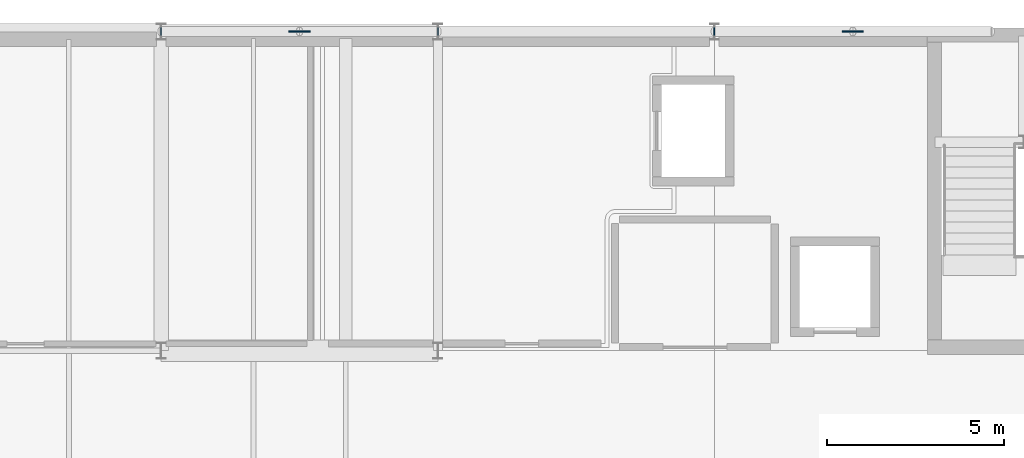
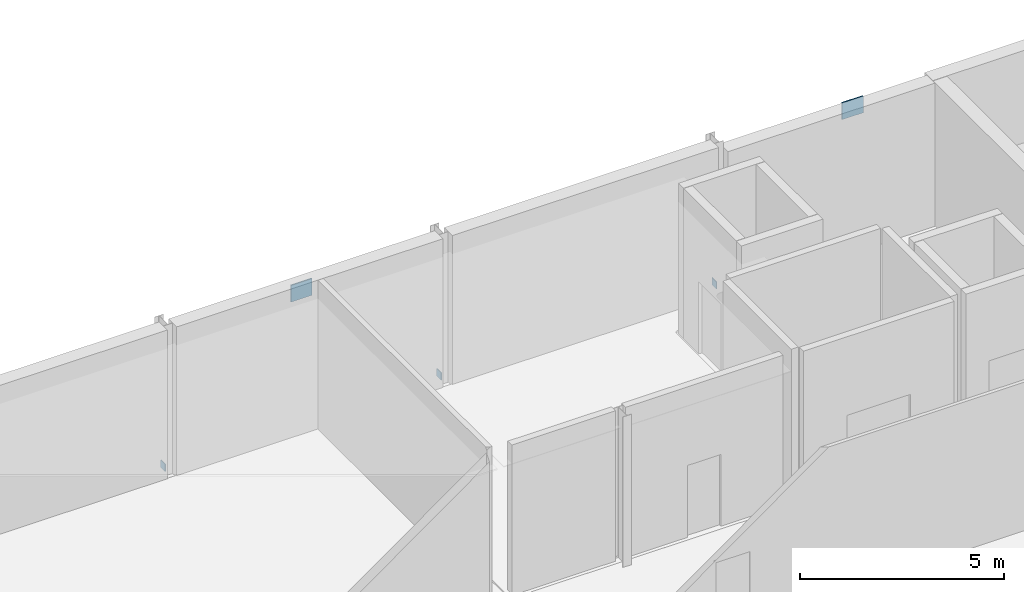
# One storey, part 29 of 38: 5 plates.
"""IFC4 building model written with IfcOpenShell, lengths in metres."""

from ifc_helpers import new_model, si_unit, derived_unit, direction, frame, origin, origin_2d, place, context, subcontext, project, spatial, rectangle, extrude, material, layer, layer_set, type_object, element, save


model = new_model("IFC4")

# Units and contexts
model_context = context("Model", 3, precision=1e-05, world=origin(), true_north=direction((0.0, 1.0)))
body_context = subcontext(model_context, "Body", "Model", "MODEL_VIEW")
ifc_project = project(units=[si_unit("LENGTHUNIT", "METRE"), si_unit("AREAUNIT", "SQUARE_METRE"), si_unit("VOLUMEUNIT", "CUBIC_METRE"), si_unit("PLANEANGLEUNIT", "RADIAN"), si_unit("MASSUNIT", "GRAM", prefix="KILO"), derived_unit("THERMALTRANSMITTANCEUNIT", [(si_unit("POWERUNIT", "WATT"), 1), (si_unit("LENGTHUNIT", "METRE"), -2), (si_unit("THERMODYNAMICTEMPERATUREUNIT", "KELVIN"), -1)])], contexts=[model_context])

# Site, building, storey
site_placement = place(None, origin())
site = spatial("IfcSite", under=ifc_project, at=site_placement, CompositionType="ELEMENT")
building_placement = place(site_placement, origin())
building = spatial("IfcBuilding", under=site, at=building_placement, Name="Nallur Shell Playhouse", CompositionType="ELEMENT")
storey_placement = place(building_placement, frame((0.0, 0.0, 24.300048828125)))
storey = spatial("IfcBuildingStorey", under=building, at=storey_placement, Name="L06", CompositionType="ELEMENT", Elevation=24.300048828125)

# Plates
ifc_material = material(Name="Steel E350", Category="steel")
ifc_layer_1 = layer(ifc_material, 0.02001953125)
ifc_layer_set_1 = layer_set([ifc_layer_1], Name="Steel E350")
plate_type_1 = type_object("IfcPlateType", Name="PT-ENDCAP-20", PredefinedType="SHEET", material=ifc_layer_set_1)
for number, where, z_axis, x_axis, name in (
    (1, (71.79296875, 83.0, 0.03271484375), (0.0, 0.0, 1.0), (1.0, 0.0, 0.0), "Hollow end cap EC-BR-FT-L06-045-0"),
    (2, (79.607177734375, 83.0, 0.03271484375), (0.0, 0.0, 1.0), (1.0, 0.0, 0.0), "Hollow end cap EC-BR-FT-L06-046-0"),
    (3, (87.392822265625, 83.0, 0.03271484375), (0.0, 0.0, 1.0), (1.0, 0.0, 0.0), "Hollow end cap EC-BR-FT-L06-047-0"),
):
    element("IfcPlate", number, at=place(storey_placement, frame(where, z_axis=z_axis, x_axis=x_axis)), inside=storey, type_object=plate_type_1, Name=name, PredefinedType="SHEET", context=body_context, shape_type="SweptSolid", body=[
        extrude(rectangle(XDim=0.02001953125, YDim=0.219970703125, at=origin_2d()), origin(), (0.0, 0.0, 1.0), 0.219970703125),
    ])
ifc_layer_2 = layer(ifc_material, 0.034912109375)
ifc_layer_set_2 = layer_set([ifc_layer_2], Name="Steel E350")
plate_type_2 = type_object("IfcPlateType", Name="PT-GUSSET-35", PredefinedType="USERDEFINED", material=ifc_layer_set_2)
for number, where, z_axis, x_axis, name in (
    (4, (75.699951171875, 83.0, 3.780029296875), (0.0, 0.0, 1.0), (1.0, 0.0, 0.0), "Fly tower chevron node gusset plate TN-02 (L06)"),
    (5, (91.300048828125, 83.0, 3.780029296875), (0.0, 0.0, 1.0), (1.0, 0.0, 0.0), "Fly tower chevron node gusset plate TN-02 (L06)"),
):
    element("IfcPlate", number, at=place(storey_placement, frame(where, z_axis=z_axis, x_axis=x_axis)), inside=storey, type_object=plate_type_2, Name=name, ObjectType="GUSSET PLATE", PredefinedType="USERDEFINED", context=body_context, shape_type="SweptSolid", body=[
        extrude(rectangle(XDim=0.60009765625, YDim=0.034912109375, at=origin_2d()), origin(), (0.0, 0.0, 1.0), 0.5),
    ])

save(model, "model.ifc")
